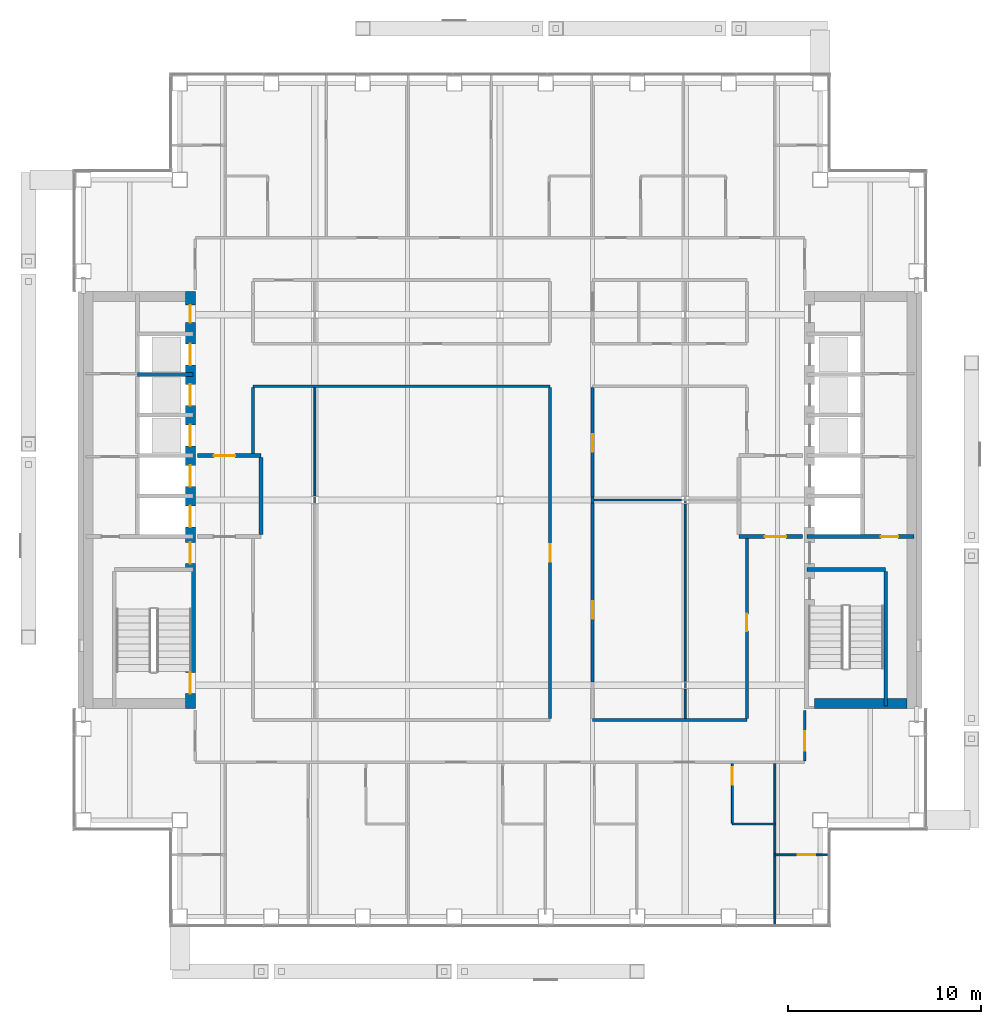
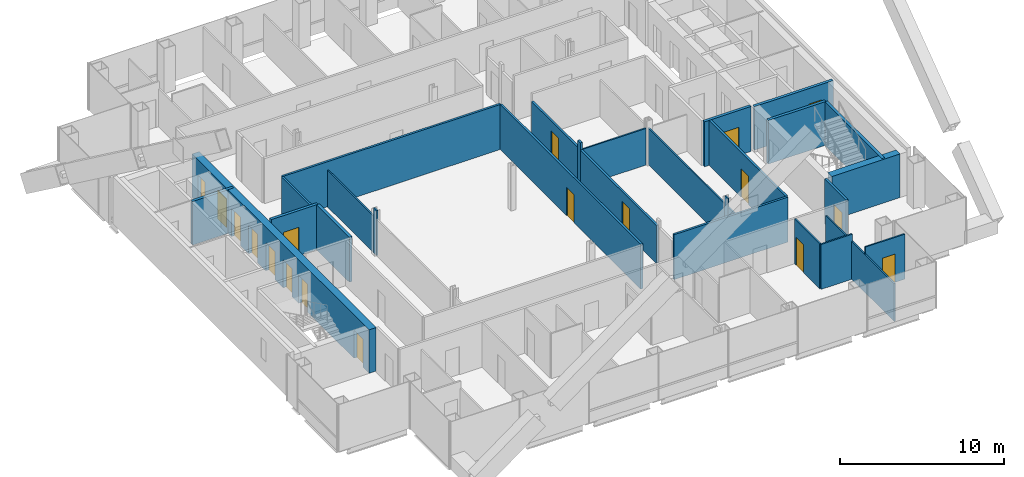
# One storey, part 13 of 18: 28 walls, 18 doors, 18 openings.
"""IFC4 building model written with IfcOpenShell, lengths in metres."""

import ifcopenshell
import ifcopenshell.guid

model = None  # the IFC model being written
_history = None  # IfcOwnerHistory: only IFC2X3 demands one
_inside = {}  # id of a spatial element -> (the spatial element, [elements in it])
_under = {}  # id of a project, library or spatial element -> (it, [spatial elements below it])
_declared = {}  # id of a project -> (the project, [libraries it declares])
_typed = {}  # id of a type object -> (the type object, [elements of that type])
_made_of = {}  # id of a material, layer set ... -> (it, [elements and type objects made of it])


def new_model(schema):
    """Start an empty IFC model of exactly this schema.

    Asked for "IFC4X3", IfcOpenShell would pick the latest addendum, in which some entities
    have other attributes; the version numbers below select the first issue.
    IFC2X3 requires an IfcOwnerHistory on every rooted entity: one is made here for all.
    """
    global model, _history
    if schema == "IFC4X3":
        model = ifcopenshell.file(schema_version=(4, 3, 0, 0))
    else:
        model = ifcopenshell.file(schema=schema)
    _inside.clear()
    _under.clear()
    _declared.clear()
    _typed.clear()
    _made_of.clear()
    _history = None
    if model.schema == "IFC2X3":
        org = make("IfcOrganization", Name="unknown")
        user = make(
            "IfcPersonAndOrganization",
            ThePerson=make("IfcPerson", FamilyName="unknown"),
            TheOrganization=org,
        )
        app = make(
            "IfcApplication",
            ApplicationDeveloper=org,
            Version="unknown",
            ApplicationFullName="unknown",
            ApplicationIdentifier="unknown",
        )
        _history = make(
            "IfcOwnerHistory",
            OwningUser=user,
            OwningApplication=app,
            ChangeAction="ADDED",
            CreationDate=0,
        )
    return model


def make(cls, **values):
    """One entity of the class cls with the attributes given. An attribute that is None is left unset."""
    return model.create_entity(
        cls, **{name: value for name, value in values.items() if value is not None}
    )


def rooted(cls, **values):
    """An entity with a GlobalId (a new one), such as an element, a storey or a relation."""
    return make(cls, GlobalId=ifcopenshell.guid.new(), OwnerHistory=_history, **values)


def si_unit(unit_type, name, prefix=None):
    """IfcSIUnit, for example si_unit("LENGTHUNIT", "METRE", prefix="MILLI")."""
    return make("IfcSIUnit", UnitType=unit_type, Prefix=prefix, Name=name)


def assignment(units):
    """IfcUnitAssignment: the units of a project."""
    return None if units is None else make("IfcUnitAssignment", Units=units)


def point(xyz):
    """IfcCartesianPoint."""
    return None if xyz is None else make("IfcCartesianPoint", Coordinates=xyz)


def direction(xyz):
    """IfcDirection."""
    return None if xyz is None else make("IfcDirection", DirectionRatios=xyz)


def frame(location, z_axis=None, x_axis=None):
    """IfcAxis2Placement3D, a coordinate frame: its origin and axes. An axis left out is left unset."""
    return make(
        "IfcAxis2Placement3D",
        Location=point(location),
        Axis=direction(z_axis),
        RefDirection=direction(x_axis),
    )


def frame_2d(location, x_axis=None):
    """IfcAxis2Placement2D, a coordinate frame in the plane: its origin and x axis."""
    return make(
        "IfcAxis2Placement2D", Location=point(location), RefDirection=direction(x_axis)
    )


def origin():
    """The frame at (0, 0, 0) with its axes left unset."""
    return frame((0.0, 0.0, 0.0))


def place(relative_to, where):
    """IfcLocalPlacement: puts the frame where relative to a parent placement (None: the world)."""
    return make(
        "IfcLocalPlacement", PlacementRelTo=relative_to, RelativePlacement=where
    )


def context(
    kind, dimensions, precision=None, world=None, true_north=None, identifier=None
):
    """IfcGeometricRepresentationContext, for example the 3D "Model" context."""
    return make(
        "IfcGeometricRepresentationContext",
        ContextIdentifier=identifier,
        ContextType=kind,
        CoordinateSpaceDimension=dimensions,
        Precision=precision,
        WorldCoordinateSystem=world,
        TrueNorth=true_north,
    )


def subcontext(parent, identifier, kind, view, scale=None):
    """IfcGeometricRepresentationSubContext, for example "Body" below "Model"."""
    return make(
        "IfcGeometricRepresentationSubContext",
        ContextIdentifier=identifier,
        ContextType=kind,
        ParentContext=parent,
        TargetScale=scale,
        TargetView=view,
    )


def project(units=None, contexts=None):
    """IfcProject with its units and contexts."""
    return rooted(
        "IfcProject",
        Name="project",
        RepresentationContexts=contexts,
        UnitsInContext=assignment(units),
    )


def spatial(cls, under=None, at=None, **own):
    """A site, building, storey or space (cls), placed at a placement, below another one or the project."""
    s = rooted(cls, ObjectPlacement=at, **own)
    if under is not None:
        _under.setdefault(under.id(), (under, []))[1].append(s)
    return s


def profile(cls, at=None, kind="AREA", **sizes):
    """A parametric profile (cls). Its sizes go by their IFC names, for example OverallWidth=200.0."""
    return make(cls, ProfileType=kind, Position=at, **sizes)


def rectangle(**sizes):
    """IfcRectangleProfileDef."""
    return profile("IfcRectangleProfileDef", **sizes)


def extrude(swept, where, along, depth):
    """IfcExtrudedAreaSolid: the profile swept, set in the frame where, extruded along a direction by depth."""
    return make(
        "IfcExtrudedAreaSolid",
        SweptArea=swept,
        Position=where,
        ExtrudedDirection=direction(along),
        Depth=depth,
    )


def shape(context_of_items, identifier, shape_type, items):
    """IfcShapeRepresentation: the items that make up one representation, for example the "Body"."""
    return make(
        "IfcShapeRepresentation",
        ContextOfItems=context_of_items,
        RepresentationIdentifier=identifier,
        RepresentationType=shape_type,
        Items=items,
    )


def material(Name=None, Category=None):
    """IfcMaterial."""
    return make("IfcMaterial", Name=Name, Category=Category)


def layer(
    of_material, thickness, ventilated=None, Name=None, Category=None, Priority=None
):
    """IfcMaterialLayer: one layer of a wall or slab, of a material (None: an air gap)."""
    return make(
        "IfcMaterialLayer",
        Material=of_material,
        LayerThickness=thickness,
        IsVentilated=ventilated,
        Name=Name,
        Category=Category,
        Priority=Priority,
    )


def layer_set(layers, Name=None):
    """IfcMaterialLayerSet."""
    return make("IfcMaterialLayerSet", MaterialLayers=layers, LayerSetName=Name)


def made_of(thing, what):
    """Note that an element or type object is made of a material, layer set ...; save() writes the relation."""
    if what is not None:
        _made_of.setdefault(what.id(), (what, []))[1].append(thing)
    return thing


def type_object(cls, material=None, **own):
    """A type object (cls), such as IfcWallType, which elements share."""
    return made_of(rooted(cls, **own), material)


def element(
    cls,
    number,
    at=None,
    inside=None,
    cuts=None,
    type_object=None,
    material=None,
    context=None,
    identifier="Body",
    shape_type=None,
    held_by="IfcProductDefinitionShape",
    body=None,
    shapes=None,
    **own,
):
    """One element of the class cls, such as IfcWall. Its Tag is "e" and its number.

    at: its placement. inside: the storey or other place that contains it. cuts: it is an
    opening in that element (IfcRelVoidsElement). A single representation is given by context,
    identifier, shape_type and body (its items); several are given by shapes. held_by: the class
    of the entity that holds the representations. save() writes the other relations.
    """
    e = rooted(cls, Tag="e%d" % number, ObjectPlacement=at, **own)
    if body is not None:
        shapes = [shape(context, identifier, shape_type, body)]
    if shapes is not None:
        e.Representation = make(held_by, Representations=shapes)
    if inside is not None:
        _inside.setdefault(inside.id(), (inside, []))[1].append(e)
    if cuts is not None:
        rooted(
            "IfcRelVoidsElement", RelatingBuildingElement=cuts, RelatedOpeningElement=e
        )
    if type_object is not None:
        _typed.setdefault(type_object.id(), (type_object, []))[1].append(e)
    return made_of(e, material)


def fill(opening, filler):
    """IfcRelFillsElement: the door or window that sits in an opening."""
    return rooted(
        "IfcRelFillsElement",
        RelatingOpeningElement=opening,
        RelatedBuildingElement=filler,
    )


def aggregate(whole, parts):
    """IfcRelAggregates: a whole, such as a stair, and the parts it consists of."""
    return rooted("IfcRelAggregates", RelatingObject=whole, RelatedObjects=parts)


def save(model, path):
    """Write the relations noted so far, then the file.

    IfcRelAggregates (storeys below a building ...), IfcRelContainedInSpatialStructure (elements
    in a storey), IfcRelDefinesByType, IfcRelAssociatesMaterial and IfcRelDeclares: one each for
    every whole, place, type object, material and project.
    """
    for whole, parts in _under.values():
        aggregate(whole, parts)
    for where, things in _inside.values():
        rooted(
            "IfcRelContainedInSpatialStructure",
            RelatedElements=things,
            RelatingStructure=where,
        )
    for kind, things in _typed.values():
        rooted("IfcRelDefinesByType", RelatedObjects=things, RelatingType=kind)
    for what, things in _made_of.values():
        rooted("IfcRelAssociatesMaterial", RelatedObjects=things, RelatingMaterial=what)
    for by, libraries in _declared.values():
        rooted("IfcRelDeclares", RelatingContext=by, RelatedDefinitions=libraries)
    model.write(path)


model = new_model("IFC4")

# Units and contexts
model_context = context("Model", 3, precision=1e-05, world=origin(), true_north=direction((0.0, 1.0)))
body_context = subcontext(model_context, "Body", "Model", "MODEL_VIEW")
ifc_project = project(units=[si_unit("LENGTHUNIT", "METRE"), si_unit("AREAUNIT", "SQUARE_METRE"), si_unit("VOLUMEUNIT", "CUBIC_METRE"), si_unit("PLANEANGLEUNIT", "RADIAN"), si_unit("MASSUNIT", "GRAM", prefix="KILO")], contexts=[model_context])

# Site, building, storey
site_placement = place(None, origin())
site = spatial("IfcSite", under=ifc_project, at=site_placement, CompositionType="ELEMENT")
building_placement = place(site_placement, origin())
building = spatial("IfcBuilding", under=site, at=building_placement, Name="Cobrizo Arcos Hotel Tower", CompositionType="ELEMENT")
storey_placement = place(building_placement, frame((0.0, 0.0, 158.5)))
storey = spatial("IfcBuildingStorey", under=building, at=storey_placement, Name="L40", CompositionType="ELEMENT", Elevation=158.5)

# Walls
ifc_material_1 = material(Name="Gypsum board partition")
ifc_layer_1 = layer(ifc_material_1, 0.14990234375)
ifc_layer_set_1 = layer_set([ifc_layer_1], Name="Corridor wall EI 60 150")
wall_type_1 = type_object("IfcWallType", Name="Corridor wall EI 60 150", PredefinedType="PARTITIONING", material=ifc_layer_set_1)
wall_1_placement = place(storey_placement, frame((4.800048828125, -11.39990234375, 0.0), z_axis=(0.0, 0.0, 1.0), x_axis=(1.0, 0.0, 0.0)))
element("IfcWall", 1, at=wall_1_placement, inside=storey, type_object=wall_type_1, Name="Partition 009", PredefinedType="PARTITIONING", context=body_context, shape_type="SweptSolid", body=[
    extrude(rectangle(XDim=8.0, YDim=0.14990234375, at=frame_2d((4.0, 0.0))), origin(), (0.0, 0.0, 1.0), 3.35009765625),
])
wall_2_placement = place(storey_placement, frame((-12.800048828125, 5.89990234375, 0.0), z_axis=(0.0, 0.0, 1.0), x_axis=(1.0, 0.0, 0.0)))
element("IfcWall", 2, at=wall_2_placement, inside=storey, type_object=wall_type_1, Name="Partition 029", PredefinedType="PARTITIONING", context=body_context, shape_type="SweptSolid", body=[
    extrude(rectangle(XDim=15.400146484375, YDim=0.14990234375, at=frame_2d((7.7001953125, 0.0))), origin(), (0.0, 0.0, 1.0), 3.35009765625),
])
wall_3_placement = place(storey_placement, frame((-12.800048828125, 2.39990234375, 0.0), z_axis=(0.0, 0.0, 1.0), x_axis=(0.0, 1.0, 0.0)))
element("IfcWall", 3, at=wall_3_placement, inside=storey, type_object=wall_type_1, Name="Partition 057", PredefinedType="PARTITIONING", context=body_context, shape_type="SweptSolid", body=[
    extrude(rectangle(XDim=3.425048828125, YDim=0.14990234375, at=frame_2d((1.71240234375, 0.0))), origin(), (0.0, 0.0, 1.0), 3.35009765625),
])

# Wall, opening, door
wall_4_placement = place(storey_placement, frame((2.60009765625, -11.324951171875, 0.0), z_axis=(0.0, 0.0, 1.0), x_axis=(0.0, 1.0, 0.0)))
wall_4 = element("IfcWall", 4, at=wall_4_placement, inside=storey, type_object=wall_type_1, Name="Partition 079", PredefinedType="PARTITIONING", context=body_context, shape_type="SweptSolid", body=[
    extrude(rectangle(XDim=17.14990234375, YDim=0.14990234375, at=frame_2d((8.574951171875, 0.0))), origin(), (0.0, 0.0, 1.0), 3.35009765625),
])
opening_1_placement = place(wall_4_placement, frame((8.125, 0.0, 0.0)))
opening_1 = element("IfcOpeningElement", 5, at=opening_1_placement, cuts=wall_4, Name="Opening RD-19", PredefinedType="OPENING", context=body_context, shape_type="SweptSolid", body=[
    extrude(rectangle(XDim=0.89990234375, YDim=2.10009765625, at=frame_2d((0.449951171875, 1.050048828125))), frame((0.0, 0.0869140625, 0.0), z_axis=(0.0, -1.0, 0.0), x_axis=(1.0, 0.0, 0.0)), (0.0, 0.0, 1.0), 0.173828125),
])
ifc_material_2 = material(Name="Timber door leaf", Category="wood")
door_type_1 = type_object("IfcDoorType", Name="Room door FD30 900x2100", OperationType="SINGLE_SWING_LEFT", PredefinedType="DOOR", material=ifc_material_2)
door_1_placement = place(opening_1_placement, origin())
door_1 = element("IfcDoor", 6, at=door_1_placement, inside=storey, type_object=door_type_1, Name="Door RD-19", OperationType="SINGLE_SWING_LEFT", OverallHeight=2.10009765625, OverallWidth=0.89990234375, PredefinedType="DOOR", context=body_context, shape_type="SweptSolid", body=[
    extrude(rectangle(XDim=0.89990234375, YDim=2.10009765625, at=frame_2d((0.449951171875, 1.050048828125))), frame((0.0, 0.02490234375, 0.0), z_axis=(0.0, -1.0, 0.0), x_axis=(1.0, 0.0, 0.0)), (0.0, 0.0, 1.0), 0.050048828125),
])
fill(opening_1, door_1)

wall_5_placement = place(storey_placement, frame((4.800048828125, -9.43603515625, 0.0), z_axis=(0.0, 0.0, 1.0), x_axis=(0.0, 1.0, 0.0)))
wall_5 = element("IfcWall", 7, at=wall_5_placement, inside=storey, type_object=wall_type_1, Name="Partition 084", PredefinedType="PARTITIONING", context=body_context, shape_type="SweptSolid", body=[
    extrude(rectangle(XDim=9.27197265625, YDim=0.14990234375, at=frame_2d((4.635986328125, 0.0))), origin(), (0.0, 0.0, 1.0), 2.81689453125),
])
opening_2_placement = place(wall_5_placement, frame((3.285888671875, 0.0, 0.0)))
opening_2 = element("IfcOpeningElement", 8, at=opening_2_placement, cuts=wall_5, Name="Opening RD-18", PredefinedType="OPENING", context=body_context, shape_type="SweptSolid", body=[
    extrude(rectangle(XDim=0.89990234375, YDim=2.10009765625, at=frame_2d((0.449951171875, 1.050048828125))), frame((0.0, 0.0869140625, 0.0), z_axis=(0.0, -1.0, 0.0), x_axis=(1.0, 0.0, 0.0)), (0.0, 0.0, 1.0), 0.173828125),
])
door_2_placement = place(opening_2_placement, origin())
door_2 = element("IfcDoor", 9, at=door_2_placement, inside=storey, type_object=door_type_1, Name="Door RD-18", OperationType="SINGLE_SWING_LEFT", OverallHeight=2.10009765625, OverallWidth=0.89990234375, PredefinedType="DOOR", context=body_context, shape_type="SweptSolid", body=[
    extrude(rectangle(XDim=0.89990234375, YDim=2.10009765625, at=frame_2d((0.449951171875, 1.050048828125))), frame((0.0, 0.02490234375, 0.0), z_axis=(0.0, -1.0, 0.0), x_axis=(1.0, 0.0, 0.0)), (0.0, 0.0, 1.0), 0.050048828125),
])
fill(opening_2, door_2)

# Wall
wall_6_placement = place(storey_placement, frame((4.800048828125, -0.1640625, 0.0), z_axis=(0.0, 0.0, 1.0), x_axis=(0.0, 1.0, 0.0)))
element("IfcWall", 10, at=wall_6_placement, inside=storey, type_object=wall_type_1, Name="Partition 085", PredefinedType="PARTITIONING", context=body_context, shape_type="SweptSolid", body=[
    extrude(rectangle(XDim=0.328125, YDim=0.14990234375, at=frame_2d((0.1640625, 0.0))), origin(), (0.0, 0.0, 1.0), 3.35009765625),
])

# Wall, opening, door
wall_7_placement = place(storey_placement, frame((4.800048828125, 0.1640625, 0.0), z_axis=(0.0, 0.0, 1.0), x_axis=(0.0, 1.0, 0.0)))
wall_7 = element("IfcWall", 11, at=wall_7_placement, inside=storey, type_object=wall_type_1, Name="Partition 086", PredefinedType="PARTITIONING", context=body_context, shape_type="SweptSolid", body=[
    extrude(rectangle(XDim=5.660888671875, YDim=0.14990234375, at=frame_2d((2.83056640625, 0.0))), origin(), (0.0, 0.0, 1.0), 2.81689453125),
])
opening_3_placement = place(wall_7_placement, frame((2.3359375, 0.0, 0.0)))
opening_3 = element("IfcOpeningElement", 12, at=opening_3_placement, cuts=wall_7, Name="Opening RD-14", PredefinedType="OPENING", context=body_context, shape_type="SweptSolid", body=[
    extrude(rectangle(XDim=0.89990234375, YDim=2.10009765625, at=frame_2d((0.449951171875, 1.050048828125))), frame((0.0, 0.0869140625, 0.0), z_axis=(0.0, -1.0, 0.0), x_axis=(1.0, 0.0, 0.0)), (0.0, 0.0, 1.0), 0.173828125),
])
door_3_placement = place(opening_3_placement, origin())
door_3 = element("IfcDoor", 13, at=door_3_placement, inside=storey, type_object=door_type_1, Name="Door RD-14", OperationType="SINGLE_SWING_RIGHT", OverallHeight=2.10009765625, OverallWidth=0.89990234375, PredefinedType="DOOR", context=body_context, shape_type="SweptSolid", body=[
    extrude(rectangle(XDim=0.89990234375, YDim=2.10009765625, at=frame_2d((0.449951171875, 1.050048828125))), frame((0.0, 0.02490234375, 0.0), z_axis=(0.0, -1.0, 0.0), x_axis=(1.0, 0.0, 0.0)), (0.0, 0.0, 1.0), 0.050048828125),
])
fill(opening_3, door_3)

wall_8_placement = place(storey_placement, frame((12.800048828125, -11.324951171875, 0.0), z_axis=(0.0, 0.0, 1.0), x_axis=(0.0, 1.0, 0.0)))
wall_8 = element("IfcWall", 14, at=wall_8_placement, inside=storey, type_object=wall_type_1, Name="Partition 106", PredefinedType="PARTITIONING", context=body_context, shape_type="SweptSolid", body=[
    extrude(rectangle(XDim=9.324951171875, YDim=0.14990234375, at=frame_2d((4.66259765625, 0.0))), origin(), (0.0, 0.0, 1.0), 3.35009765625),
])
opening_4_placement = place(wall_8_placement, frame((4.52490234375, 0.0, 0.0)))
opening_4 = element("IfcOpeningElement", 15, at=opening_4_placement, cuts=wall_8, Name="Opening RD-15", PredefinedType="OPENING", context=body_context, shape_type="SweptSolid", body=[
    extrude(rectangle(XDim=0.89990234375, YDim=2.10009765625, at=frame_2d((0.449951171875, 1.050048828125))), frame((0.0, 0.0869140625, 0.0), z_axis=(0.0, -1.0, 0.0), x_axis=(1.0, 0.0, 0.0)), (0.0, 0.0, 1.0), 0.173828125),
])
door_4_placement = place(opening_4_placement, origin())
door_4 = element("IfcDoor", 16, at=door_4_placement, inside=storey, type_object=door_type_1, Name="Door RD-15", OperationType="SINGLE_SWING_LEFT", OverallHeight=2.10009765625, OverallWidth=0.89990234375, PredefinedType="DOOR", context=body_context, shape_type="SweptSolid", body=[
    extrude(rectangle(XDim=0.89990234375, YDim=2.10009765625, at=frame_2d((0.449951171875, 1.050048828125))), frame((0.0, 0.02490234375, 0.0), z_axis=(0.0, -1.0, 0.0), x_axis=(1.0, 0.0, 0.0)), (0.0, 0.0, 1.0), 0.050048828125),
])
fill(opening_4, door_4)

wall_9_placement = place(storey_placement, frame((15.800048828125, -13.52490234375, 0.0), z_axis=(0.0, 0.0, 1.0), x_axis=(0.0, 1.0, 0.0)))
wall_9 = element("IfcWall", 17, at=wall_9_placement, inside=storey, type_object=wall_type_1, Name="Partition 112", PredefinedType="PARTITIONING", context=body_context, shape_type="SweptSolid", body=[
    extrude(rectangle(XDim=2.60498046875, YDim=0.14990234375, at=frame_2d((1.302490234375, 0.0))), origin(), (0.0, 0.0, 1.0), 3.35009765625),
])
opening_5_placement = place(wall_9_placement, frame((0.52490234375, 0.0, 0.0)))
opening_5 = element("IfcOpeningElement", 18, at=opening_5_placement, cuts=wall_9, Name="Opening GD-11", PredefinedType="OPENING", context=body_context, shape_type="SweptSolid", body=[
    extrude(rectangle(XDim=1.0, YDim=2.10009765625, at=frame_2d((0.5, 1.050048828125))), frame((0.0, 0.0869140625, 0.0), z_axis=(0.0, -1.0, 0.0), x_axis=(1.0, 0.0, 0.0)), (0.0, 0.0, 1.0), 0.173828125),
])
door_type_2 = type_object("IfcDoorType", Name="Guest room door FD30S 1000x2100", OperationType="SINGLE_SWING_LEFT", PredefinedType="DOOR", material=ifc_material_2)
door_5_placement = place(opening_5_placement, origin())
door_5 = element("IfcDoor", 19, at=door_5_placement, inside=storey, type_object=door_type_2, Name="Door GD-11", OperationType="SINGLE_SWING_LEFT", OverallHeight=2.10009765625, OverallWidth=1.0, PredefinedType="DOOR", context=body_context, shape_type="SweptSolid", body=[
    extrude(rectangle(XDim=1.0, YDim=2.10009765625, at=frame_2d((0.5, 1.050048828125))), frame((0.0, 0.02490234375, 0.0), z_axis=(0.0, -1.0, 0.0), x_axis=(1.0, 0.0, 0.0)), (0.0, 0.0, 1.0), 0.050048828125),
])
fill(opening_5, door_5)

ifc_layer_2 = layer(ifc_material_1, 0.10009765625)
ifc_layer_set_2 = layer_set([ifc_layer_2], Name="Partition EI 30 100")
wall_type_2 = type_object("IfcWallType", Name="Partition EI 30 100", PredefinedType="PARTITIONING", material=ifc_layer_set_2)
wall_10_placement = place(storey_placement, frame((14.25, -18.39990234375, 0.0), z_axis=(0.0, 0.0, 1.0), x_axis=(1.0, 0.0, 0.0)))
wall_10 = element("IfcWall", 20, at=wall_10_placement, inside=storey, type_object=wall_type_2, Name="Partition 002", PredefinedType="PARTITIONING", context=body_context, shape_type="SweptSolid", body=[
    extrude(rectangle(XDim=2.780029296875, YDim=0.10009765625, at=frame_2d((1.39013671875, 0.0))), origin(), (0.0, 0.0, 1.0), 3.35009765625),
])
opening_6_placement = place(wall_10_placement, frame((1.18896484375, 0.0, 0.0)))
opening_6 = element("IfcOpeningElement", 21, at=opening_6_placement, cuts=wall_10, Name="Opening ED-12", PredefinedType="OPENING", context=body_context, shape_type="SweptSolid", body=[
    extrude(rectangle(XDim=0.89990234375, YDim=2.10009765625, at=frame_2d((0.449951171875, 1.050048828125))), frame((0.0, 0.06201171875, 0.0), z_axis=(0.0, -1.0, 0.0), x_axis=(1.0, 0.0, 0.0)), (0.0, 0.0, 1.0), 0.1240234375),
])
door_type_3 = type_object("IfcDoorType", Name="En-suite door 900x2100", OperationType="SINGLE_SWING_LEFT", PredefinedType="DOOR", material=ifc_material_2)
door_6_placement = place(opening_6_placement, origin())
door_6 = element("IfcDoor", 22, at=door_6_placement, inside=storey, type_object=door_type_3, Name="Door ED-12", OperationType="SINGLE_SWING_LEFT", OverallHeight=2.10009765625, OverallWidth=0.89990234375, PredefinedType="DOOR", context=body_context, shape_type="SweptSolid", body=[
    extrude(rectangle(XDim=0.89990234375, YDim=2.10009765625, at=frame_2d((0.449951171875, 1.050048828125))), frame((0.0, 0.02490234375, 0.0), z_axis=(0.0, -1.0, 0.0), x_axis=(1.0, 0.0, 0.0)), (0.0, 0.0, 1.0), 0.050048828125),
])
fill(opening_6, door_6)

# Walls
wall_11_placement = place(storey_placement, frame((12.050048828125, -16.800048828125, 0.0), z_axis=(0.0, 0.0, 1.0), x_axis=(1.0, 0.0, 0.0)))
element("IfcWall", 23, at=wall_11_placement, inside=storey, type_object=wall_type_2, Name="Partition 006", PredefinedType="PARTITIONING", context=body_context, shape_type="SweptSolid", body=[
    extrude(rectangle(XDim=2.199951171875, YDim=0.10009765625, at=frame_2d((1.10009765625, 0.0))), origin(), (0.0, 0.0, 1.0), 3.35009765625),
])
wall_12_placement = place(storey_placement, frame((4.800048828125, 0.0, 0.0), z_axis=(0.0, 0.0, 1.0), x_axis=(1.0, 0.0, 0.0)))
element("IfcWall", 24, at=wall_12_placement, inside=storey, type_object=wall_type_2, Name="Partition 016", PredefinedType="PARTITIONING", context=body_context, shape_type="SweptSolid", body=[
    extrude(rectangle(XDim=4.613037109375, YDim=0.10009765625, at=frame_2d((2.306640625, 0.0))), origin(), (0.0, 0.0, 1.0), 2.72802734375),
])
wall_13_placement = place(storey_placement, frame((-9.60009765625, -0.18701171875, 0.0), z_axis=(0.0, 0.0, 1.0), x_axis=(0.0, 1.0, 0.0)))
element("IfcWall", 25, at=wall_13_placement, inside=storey, type_object=wall_type_2, Name="Partition 066", PredefinedType="PARTITIONING", context=body_context, shape_type="SweptSolid", body=[
    extrude(rectangle(XDim=0.3740234375, YDim=0.10009765625, at=frame_2d((0.18701171875, 0.0))), origin(), (0.0, 0.0, 1.0), 3.35009765625),
])
wall_14_placement = place(storey_placement, frame((-9.60009765625, 0.18701171875, 0.0), z_axis=(0.0, 0.0, 1.0), x_axis=(0.0, 1.0, 0.0)))
element("IfcWall", 26, at=wall_14_placement, inside=storey, type_object=wall_type_2, Name="Partition 067", PredefinedType="PARTITIONING", context=body_context, shape_type="SweptSolid", body=[
    extrude(rectangle(XDim=5.637939453125, YDim=0.10009765625, at=frame_2d((2.81884765625, 0.0))), origin(), (0.0, 0.0, 1.0), 2.72802734375),
])
wall_15_placement = place(storey_placement, frame((9.60009765625, -11.324951171875, 0.0), z_axis=(0.0, 0.0, 1.0), x_axis=(0.0, 1.0, 0.0)))
element("IfcWall", 27, at=wall_15_placement, inside=storey, type_object=wall_type_2, Name="Partition 096", PredefinedType="PARTITIONING", context=body_context, shape_type="SweptSolid", body=[
    extrude(rectangle(XDim=1.537841796875, YDim=0.10009765625, at=frame_2d((0.76904296875, 0.0))), origin(), (0.0, 0.0, 1.0), 2.72802734375),
])
wall_16_placement = place(storey_placement, frame((9.60009765625, -9.787109375, 0.0), z_axis=(0.0, 0.0, 1.0), x_axis=(0.0, 1.0, 0.0)))
element("IfcWall", 28, at=wall_16_placement, inside=storey, type_object=wall_type_2, Name="Partition 097", PredefinedType="PARTITIONING", context=body_context, shape_type="SweptSolid", body=[
    extrude(rectangle(XDim=0.3740234375, YDim=0.10009765625, at=frame_2d((0.18701171875, 0.0))), origin(), (0.0, 0.0, 1.0), 3.35009765625),
])
wall_17_placement = place(storey_placement, frame((9.60009765625, -9.4130859375, 0.0), z_axis=(0.0, 0.0, 1.0), x_axis=(0.0, 1.0, 0.0)))
element("IfcWall", 29, at=wall_17_placement, inside=storey, type_object=wall_type_2, Name="Partition 098", PredefinedType="PARTITIONING", context=body_context, shape_type="SweptSolid", body=[
    extrude(rectangle(XDim=9.363037109375, YDim=0.10009765625, at=frame_2d((4.681640625, 0.0))), origin(), (0.0, 0.0, 1.0), 2.72802734375),
])

# Wall, opening, door
wall_18_placement = place(storey_placement, frame((12.050048828125, -16.75, 0.0), z_axis=(0.0, 0.0, 1.0), x_axis=(0.0, 1.0, 0.0)))
wall_18 = element("IfcWall", 30, at=wall_18_placement, inside=storey, type_object=wall_type_2, Name="Partition 104", PredefinedType="PARTITIONING", context=body_context, shape_type="SweptSolid", body=[
    extrude(rectangle(XDim=3.074951171875, YDim=0.10009765625, at=frame_2d((1.53759765625, 0.0))), origin(), (0.0, 0.0, 1.0), 3.35009765625),
])
opening_7_placement = place(wall_18_placement, frame((1.99609375, 0.0, 0.0)))
opening_7 = element("IfcOpeningElement", 31, at=opening_7_placement, cuts=wall_18, Name="Opening ED-09", PredefinedType="OPENING", context=body_context, shape_type="SweptSolid", body=[
    extrude(rectangle(XDim=0.89990234375, YDim=2.10009765625, at=frame_2d((0.449951171875, 1.050048828125))), frame((0.0, 0.06201171875, 0.0), z_axis=(0.0, -1.0, 0.0), x_axis=(1.0, 0.0, 0.0)), (0.0, 0.0, 1.0), 0.1240234375),
])
door_7_placement = place(opening_7_placement, origin())
door_7 = element("IfcDoor", 32, at=door_7_placement, inside=storey, type_object=door_type_3, Name="Door ED-09", OperationType="SINGLE_SWING_LEFT", OverallHeight=2.10009765625, OverallWidth=0.89990234375, PredefinedType="DOOR", context=body_context, shape_type="SweptSolid", body=[
    extrude(rectangle(XDim=0.89990234375, YDim=2.10009765625, at=frame_2d((0.449951171875, 1.050048828125))), frame((0.0, 0.02490234375, 0.0), z_axis=(0.0, -1.0, 0.0), x_axis=(1.0, 0.0, 0.0)), (0.0, 0.0, 1.0), 0.050048828125),
])
fill(opening_7, door_7)

# Walls
wall_19_placement = place(storey_placement, frame((14.25, -22.030029296875, 0.0), z_axis=(0.0, 0.0, 1.0), x_axis=(0.0, 1.0, 0.0)))
element("IfcWall", 33, at=wall_19_placement, inside=storey, type_object=wall_type_2, Name="Partition 110", PredefinedType="PARTITIONING", context=body_context, shape_type="SweptSolid", body=[
    extrude(rectangle(XDim=8.35498046875, YDim=0.10009765625, at=frame_2d((4.177490234375, 0.0))), origin(), (0.0, 0.0, 1.0), 2.81689453125),
])
ifc_material_3 = material(Name="Concrete f'c 50 MPa", Category="concrete")
ifc_layer_3 = layer(ifc_material_3, 0.5)
ifc_layer_set_3 = layer_set([ifc_layer_3], Name="RC core wall 500 f'c 50")
wall_type_3 = type_object("IfcWallType", Name="RC core wall 500 f'c 50", PredefinedType="SHEAR", material=ifc_layer_set_3)
wall_20_placement = place(storey_placement, frame((16.300048828125, -10.550048828125, 0.0), z_axis=(0.0, 0.0, 1.0), x_axis=(1.0, 0.0, 0.0)))
element("IfcWall", 34, at=wall_20_placement, inside=storey, type_object=wall_type_3, Name="Core wall CW3, east core, south end, L40", PredefinedType="SHEAR", context=body_context, shape_type="SweptSolid", body=[
    extrude(rectangle(XDim=4.800048828125, YDim=0.5, at=frame_2d((2.39990234375, 0.0))), origin(), (0.0, 0.0, 1.0), 3.25),
])

# Wall, openings, doors
wall_21_placement = place(storey_placement, frame((-16.050048828125, -10.800048828125, 0.0), z_axis=(0.0, 0.0, 1.0), x_axis=(0.0, 1.0, 0.0)))
wall_21 = element("IfcWall", 35, at=wall_21_placement, inside=storey, type_object=wall_type_3, Name="Core wall CW3, west core, inner face, L40", PredefinedType="SHEAR", context=body_context, shape_type="SweptSolid", body=[
    extrude(rectangle(XDim=21.60009765625, YDim=0.5, at=frame_2d((10.800048828125, 0.0))), origin(), (0.0, 0.0, 1.0), 3.25),
])
opening_8_placement = place(wall_21_placement, frame((9.39990234375, 0.0, 0.0)))
opening_8 = element("IfcOpeningElement", 36, at=opening_8_placement, cuts=wall_21, Name="Opening LD-01", PredefinedType="OPENING", context=body_context, shape_type="SweptSolid", body=[
    extrude(rectangle(XDim=1.10009765625, YDim=2.10009765625, at=frame_2d((0.550048828125, 1.050048828125))), frame((0.0, 0.261962890625, 0.0), z_axis=(0.0, -1.0, 0.0), x_axis=(1.0, 0.0, 0.0)), (0.0, 0.0, 1.0), 0.52392578125),
])
opening_9_placement = place(wall_21_placement, frame((11.5, 0.0, 0.0)))
opening_9 = element("IfcOpeningElement", 37, at=opening_9_placement, cuts=wall_21, Name="Opening LD-02", PredefinedType="OPENING", context=body_context, shape_type="SweptSolid", body=[
    extrude(rectangle(XDim=1.10009765625, YDim=2.10009765625, at=frame_2d((0.550048828125, 1.050048828125))), frame((0.0, 0.261962890625, 0.0), z_axis=(0.0, -1.0, 0.0), x_axis=(1.0, 0.0, 0.0)), (0.0, 0.0, 1.0), 0.52392578125),
])
opening_10_placement = place(wall_21_placement, frame((13.60009765625, 0.0, 0.0)))
opening_10 = element("IfcOpeningElement", 38, at=opening_10_placement, cuts=wall_21, Name="Opening LD-03", PredefinedType="OPENING", context=body_context, shape_type="SweptSolid", body=[
    extrude(rectangle(XDim=1.10009765625, YDim=2.10009765625, at=frame_2d((0.550048828125, 1.050048828125))), frame((0.0, 0.261962890625, 0.0), z_axis=(0.0, -1.0, 0.0), x_axis=(1.0, 0.0, 0.0)), (0.0, 0.0, 1.0), 0.52392578125),
])
opening_11_placement = place(wall_21_placement, frame((15.699951171875, 0.0, 0.0)))
opening_11 = element("IfcOpeningElement", 39, at=opening_11_placement, cuts=wall_21, Name="Opening LD-04", PredefinedType="OPENING", context=body_context, shape_type="SweptSolid", body=[
    extrude(rectangle(XDim=1.10009765625, YDim=2.10009765625, at=frame_2d((0.550048828125, 1.050048828125))), frame((0.0, 0.261962890625, 0.0), z_axis=(0.0, -1.0, 0.0), x_axis=(1.0, 0.0, 0.0)), (0.0, 0.0, 1.0), 0.52392578125),
])
opening_12_placement = place(wall_21_placement, frame((17.800048828125, 0.0, 0.0)))
opening_12 = element("IfcOpeningElement", 40, at=opening_12_placement, cuts=wall_21, Name="Opening LD-05", PredefinedType="OPENING", context=body_context, shape_type="SweptSolid", body=[
    extrude(rectangle(XDim=1.10009765625, YDim=2.10009765625, at=frame_2d((0.550048828125, 1.050048828125))), frame((0.0, 0.261962890625, 0.0), z_axis=(0.0, -1.0, 0.0), x_axis=(1.0, 0.0, 0.0)), (0.0, 0.0, 1.0), 0.52392578125),
])
opening_13_placement = place(wall_21_placement, frame((0.758056640625, 0.0, 0.0)))
opening_13 = element("IfcOpeningElement", 41, at=opening_13_placement, cuts=wall_21, Name="Opening SD-01", PredefinedType="OPENING", context=body_context, shape_type="SweptSolid", body=[
    extrude(rectangle(XDim=1.10009765625, YDim=2.10009765625, at=frame_2d((0.550048828125, 1.050048828125))), frame((0.0, 0.261962890625, 0.0), z_axis=(0.0, -1.0, 0.0), x_axis=(1.0, 0.0, 0.0)), (0.0, 0.0, 1.0), 0.52392578125),
])
opening_14_placement = place(wall_21_placement, frame((7.5, 0.0, 0.0)))
opening_14 = element("IfcOpeningElement", 42, at=opening_14_placement, cuts=wall_21, Name="Opening FD-01", PredefinedType="OPENING", context=body_context, shape_type="SweptSolid", body=[
    extrude(rectangle(XDim=1.10009765625, YDim=2.10009765625, at=frame_2d((0.550048828125, 1.050048828125))), frame((0.0, 0.261962890625, 0.0), z_axis=(0.0, -1.0, 0.0), x_axis=(1.0, 0.0, 0.0)), (0.0, 0.0, 1.0), 0.52392578125),
])
opening_15_placement = place(wall_21_placement, frame((20.0, 0.0, 0.0)))
opening_15 = element("IfcOpeningElement", 43, at=opening_15_placement, cuts=wall_21, Name="Opening ED-01", PredefinedType="OPENING", context=body_context, shape_type="SweptSolid", body=[
    extrude(rectangle(XDim=0.89990234375, YDim=2.10009765625, at=frame_2d((0.449951171875, 1.050048828125))), frame((0.0, 0.261962890625, 0.0), z_axis=(0.0, -1.0, 0.0), x_axis=(1.0, 0.0, 0.0)), (0.0, 0.0, 1.0), 0.52392578125),
])
door_8_placement = place(opening_15_placement, origin())
door_8 = element("IfcDoor", 44, at=door_8_placement, inside=storey, type_object=door_type_3, Name="Door ED-01", OperationType="SINGLE_SWING_LEFT", OverallHeight=2.10009765625, OverallWidth=0.89990234375, PredefinedType="DOOR", context=body_context, shape_type="SweptSolid", body=[
    extrude(rectangle(XDim=0.89990234375, YDim=2.10009765625, at=frame_2d((0.449951171875, 1.050048828125))), frame((0.0, 0.02490234375, 0.0), z_axis=(0.0, -1.0, 0.0), x_axis=(1.0, 0.0, 0.0)), (0.0, 0.0, 1.0), 0.050048828125),
])
fill(opening_15, door_8)
ifc_material_4 = material(Name="Steel door leaf", Category="steel")
door_type_4 = type_object("IfcDoorType", Name="Fire door FD60 1100x2100", OperationType="SINGLE_SWING_LEFT", PredefinedType="DOOR", material=ifc_material_4)
door_9_placement = place(opening_14_placement, origin())
door_9 = element("IfcDoor", 45, at=door_9_placement, inside=storey, type_object=door_type_4, Name="Door FD-01", OperationType="SINGLE_SWING_RIGHT", OverallHeight=2.10009765625, OverallWidth=1.10009765625, PredefinedType="DOOR", context=body_context, shape_type="SweptSolid", body=[
    extrude(rectangle(XDim=1.10009765625, YDim=2.10009765625, at=frame_2d((0.550048828125, 1.050048828125))), frame((0.0, 0.02490234375, 0.0), z_axis=(0.0, -1.0, 0.0), x_axis=(1.0, 0.0, 0.0)), (0.0, 0.0, 1.0), 0.050048828125),
])
fill(opening_14, door_9)
door_type_5 = type_object("IfcDoorType", Name="Lift landing door 1100x2100", OperationType="SLIDING_TO_LEFT", PredefinedType="DOOR", material=ifc_material_4)
door_10_placement = place(opening_8_placement, origin())
door_10 = element("IfcDoor", 46, at=door_10_placement, inside=storey, type_object=door_type_5, Name="Lift landing door LD-01", OperationType="SLIDING_TO_LEFT", OverallHeight=2.10009765625, OverallWidth=1.10009765625, PredefinedType="DOOR", context=body_context, shape_type="SweptSolid", body=[
    extrude(rectangle(XDim=1.10009765625, YDim=2.10009765625, at=frame_2d((0.550048828125, 1.050048828125))), frame((0.0, 0.02490234375, 0.0), z_axis=(0.0, -1.0, 0.0), x_axis=(1.0, 0.0, 0.0)), (0.0, 0.0, 1.0), 0.050048828125),
])
fill(opening_8, door_10)
door_11_placement = place(opening_9_placement, origin())
door_11 = element("IfcDoor", 47, at=door_11_placement, inside=storey, type_object=door_type_5, Name="Lift landing door LD-02", OperationType="SLIDING_TO_LEFT", OverallHeight=2.10009765625, OverallWidth=1.10009765625, PredefinedType="DOOR", context=body_context, shape_type="SweptSolid", body=[
    extrude(rectangle(XDim=1.10009765625, YDim=2.10009765625, at=frame_2d((0.550048828125, 1.050048828125))), frame((0.0, 0.02490234375, 0.0), z_axis=(0.0, -1.0, 0.0), x_axis=(1.0, 0.0, 0.0)), (0.0, 0.0, 1.0), 0.050048828125),
])
fill(opening_9, door_11)
door_12_placement = place(opening_10_placement, origin())
door_12 = element("IfcDoor", 48, at=door_12_placement, inside=storey, type_object=door_type_5, Name="Lift landing door LD-03", OperationType="SLIDING_TO_LEFT", OverallHeight=2.10009765625, OverallWidth=1.10009765625, PredefinedType="DOOR", context=body_context, shape_type="SweptSolid", body=[
    extrude(rectangle(XDim=1.10009765625, YDim=2.10009765625, at=frame_2d((0.550048828125, 1.050048828125))), frame((0.0, 0.02490234375, 0.0), z_axis=(0.0, -1.0, 0.0), x_axis=(1.0, 0.0, 0.0)), (0.0, 0.0, 1.0), 0.050048828125),
])
fill(opening_10, door_12)
door_13_placement = place(opening_11_placement, origin())
door_13 = element("IfcDoor", 49, at=door_13_placement, inside=storey, type_object=door_type_5, Name="Lift landing door LD-04", OperationType="SLIDING_TO_LEFT", OverallHeight=2.10009765625, OverallWidth=1.10009765625, PredefinedType="DOOR", context=body_context, shape_type="SweptSolid", body=[
    extrude(rectangle(XDim=1.10009765625, YDim=2.10009765625, at=frame_2d((0.550048828125, 1.050048828125))), frame((0.0, 0.02490234375, 0.0), z_axis=(0.0, -1.0, 0.0), x_axis=(1.0, 0.0, 0.0)), (0.0, 0.0, 1.0), 0.050048828125),
])
fill(opening_11, door_13)
door_14_placement = place(opening_12_placement, origin())
door_14 = element("IfcDoor", 50, at=door_14_placement, inside=storey, type_object=door_type_5, Name="Lift landing door LD-05", OperationType="SLIDING_TO_LEFT", OverallHeight=2.10009765625, OverallWidth=1.10009765625, PredefinedType="DOOR", context=body_context, shape_type="SweptSolid", body=[
    extrude(rectangle(XDim=1.10009765625, YDim=2.10009765625, at=frame_2d((0.550048828125, 1.050048828125))), frame((0.0, 0.02490234375, 0.0), z_axis=(0.0, -1.0, 0.0), x_axis=(1.0, 0.0, 0.0)), (0.0, 0.0, 1.0), 0.050048828125),
])
fill(opening_12, door_14)
door_type_6 = type_object("IfcDoorType", Name="Stair door FD60S 1100x2100", OperationType="SINGLE_SWING_LEFT", PredefinedType="DOOR", material=ifc_material_4)
door_15_placement = place(opening_13_placement, origin())
door_15 = element("IfcDoor", 51, at=door_15_placement, inside=storey, type_object=door_type_6, Name="Door SD-01", OperationType="SINGLE_SWING_RIGHT", OverallHeight=2.10009765625, OverallWidth=1.10009765625, PredefinedType="DOOR", context=body_context, shape_type="SweptSolid", body=[
    extrude(rectangle(XDim=1.10009765625, YDim=2.10009765625, at=frame_2d((0.550048828125, 1.050048828125))), frame((0.0, 0.02490234375, 0.0), z_axis=(0.0, -1.0, 0.0), x_axis=(1.0, 0.0, 0.0)), (0.0, 0.0, 1.0), 0.050048828125),
])
fill(opening_13, door_15)

# Wall, opening, door
ifc_layer_4 = layer(ifc_material_1, 0.199951171875)
ifc_layer_set_4 = layer_set([ifc_layer_4], Name="Shaft wall EI 120 200")
wall_type_4 = type_object("IfcWallType", Name="Shaft wall EI 120 200", PredefinedType="PARTITIONING", material=ifc_layer_set_4)
wall_22_placement = place(storey_placement, frame((12.39990234375, -1.89990234375, 0.0), z_axis=(0.0, 0.0, 1.0), x_axis=(1.0, 0.0, 0.0)))
wall_22 = element("IfcWall", 52, at=wall_22_placement, inside=storey, type_object=wall_type_4, Name="Partition 014", PredefinedType="PARTITIONING", context=body_context, shape_type="SweptSolid", body=[
    extrude(rectangle(XDim=3.280029296875, YDim=0.199951171875, at=frame_2d((1.64013671875, 0.0))), origin(), (0.0, 0.0, 1.0), 3.35009765625),
])
opening_16_placement = place(wall_22_placement, frame((1.340087890625, 0.0, 0.0)))
opening_16 = element("IfcOpeningElement", 53, at=opening_16_placement, cuts=wall_22, Name="Opening FD-06", PredefinedType="OPENING", context=body_context, shape_type="SweptSolid", body=[
    extrude(rectangle(XDim=1.10009765625, YDim=2.10009765625, at=frame_2d((0.550048828125, 1.050048828125))), frame((0.0, 0.112060546875, 0.0), z_axis=(0.0, -1.0, 0.0), x_axis=(1.0, 0.0, 0.0)), (0.0, 0.0, 1.0), 0.223876953125),
])
door_16_placement = place(opening_16_placement, origin())
door_16 = element("IfcDoor", 54, at=door_16_placement, inside=storey, type_object=door_type_4, Name="Door FD-06", OperationType="SINGLE_SWING_RIGHT", OverallHeight=2.10009765625, OverallWidth=1.10009765625, PredefinedType="DOOR", context=body_context, shape_type="SweptSolid", body=[
    extrude(rectangle(XDim=1.10009765625, YDim=2.10009765625, at=frame_2d((0.550048828125, 1.050048828125))), frame((0.0, 0.02490234375, 0.0), z_axis=(0.0, -1.0, 0.0), x_axis=(1.0, 0.0, 0.0)), (0.0, 0.0, 1.0), 0.050048828125),
])
fill(opening_16, door_16)

wall_23_placement = place(storey_placement, frame((15.919921875, -1.89990234375, 0.0), z_axis=(0.0, 0.0, 1.0), x_axis=(1.0, 0.0, 0.0)))
wall_23 = element("IfcWall", 55, at=wall_23_placement, inside=storey, type_object=wall_type_4, Name="Partition 015", PredefinedType="PARTITIONING", context=body_context, shape_type="SweptSolid", body=[
    extrude(rectangle(XDim=5.56005859375, YDim=0.199951171875, at=frame_2d((2.780029296875, 0.0))), origin(), (0.0, 0.0, 1.0), 3.25),
])
opening_17_placement = place(wall_23_placement, frame((3.830078125, 0.0, 0.0)))
opening_17 = element("IfcOpeningElement", 56, at=opening_17_placement, cuts=wall_23, Name="Opening RD-05", PredefinedType="OPENING", context=body_context, shape_type="SweptSolid", body=[
    extrude(rectangle(XDim=0.89990234375, YDim=2.10009765625, at=frame_2d((0.449951171875, 1.050048828125))), frame((0.0, 0.112060546875, 0.0), z_axis=(0.0, -1.0, 0.0), x_axis=(1.0, 0.0, 0.0)), (0.0, 0.0, 1.0), 0.223876953125),
])
door_17_placement = place(opening_17_placement, origin())
door_17 = element("IfcDoor", 57, at=door_17_placement, inside=storey, type_object=door_type_1, Name="Door RD-05", OperationType="SINGLE_SWING_RIGHT", OverallHeight=2.10009765625, OverallWidth=0.89990234375, PredefinedType="DOOR", context=body_context, shape_type="SweptSolid", body=[
    extrude(rectangle(XDim=0.89990234375, YDim=2.10009765625, at=frame_2d((0.449951171875, 1.050048828125))), frame((0.0, 0.02490234375, 0.0), z_axis=(0.0, -1.0, 0.0), x_axis=(1.0, 0.0, 0.0)), (0.0, 0.0, 1.0), 0.050048828125),
])
fill(opening_17, door_17)

wall_24_placement = place(storey_placement, frame((-15.679931640625, 2.300048828125, 0.0), z_axis=(0.0, 0.0, 1.0), x_axis=(1.0, 0.0, 0.0)))
wall_24 = element("IfcWall", 58, at=wall_24_placement, inside=storey, type_object=wall_type_4, Name="Partition 024", PredefinedType="PARTITIONING", context=body_context, shape_type="SweptSolid", body=[
    extrude(rectangle(XDim=3.280029296875, YDim=0.199951171875, at=frame_2d((1.64013671875, 0.0))), origin(), (0.0, 0.0, 1.0), 3.35009765625),
])
opening_18_placement = place(wall_24_placement, frame((0.840087890625, 0.0, 0.0)))
opening_18 = element("IfcOpeningElement", 59, at=opening_18_placement, cuts=wall_24, Name="Opening FD-02", PredefinedType="OPENING", context=body_context, shape_type="SweptSolid", body=[
    extrude(rectangle(XDim=1.10009765625, YDim=2.10009765625, at=frame_2d((0.550048828125, 1.050048828125))), frame((0.0, 0.112060546875, 0.0), z_axis=(0.0, -1.0, 0.0), x_axis=(1.0, 0.0, 0.0)), (0.0, 0.0, 1.0), 0.223876953125),
])
door_18_placement = place(opening_18_placement, origin())
door_18 = element("IfcDoor", 60, at=door_18_placement, inside=storey, type_object=door_type_4, Name="Door FD-02", OperationType="SINGLE_SWING_RIGHT", OverallHeight=2.10009765625, OverallWidth=1.10009765625, PredefinedType="DOOR", context=body_context, shape_type="SweptSolid", body=[
    extrude(rectangle(XDim=1.10009765625, YDim=2.10009765625, at=frame_2d((0.550048828125, 1.050048828125))), frame((0.0, 0.02490234375, 0.0), z_axis=(0.0, -1.0, 0.0), x_axis=(1.0, 0.0, 0.0)), (0.0, 0.0, 1.0), 0.050048828125),
])
fill(opening_18, door_18)

# Walls
wall_25_placement = place(storey_placement, frame((-18.800048828125, 6.5, 0.0), z_axis=(0.0, 0.0, 1.0), x_axis=(1.0, 0.0, 0.0)))
element("IfcWall", 61, at=wall_25_placement, inside=storey, type_object=wall_type_4, Name="Partition 031", PredefinedType="PARTITIONING", context=body_context, shape_type="SweptSolid", body=[
    extrude(rectangle(XDim=2.880126953125, YDim=0.199951171875, at=frame_2d((1.43994140625, 0.0))), origin(), (0.0, 0.0, 1.0), 3.25),
])
wall_26_placement = place(storey_placement, frame((-12.39990234375, -1.800048828125, 0.0), z_axis=(0.0, 0.0, 1.0), x_axis=(0.0, 1.0, 0.0)))
element("IfcWall", 62, at=wall_26_placement, inside=storey, type_object=wall_type_4, Name="Partition 060", PredefinedType="PARTITIONING", context=body_context, shape_type="SweptSolid", body=[
    extrude(rectangle(XDim=4.0, YDim=0.199951171875, at=frame_2d((2.0, 0.0))), origin(), (0.0, 0.0, 1.0), 3.35009765625),
])
ifc_material_5 = material(Name="Concrete f'c 40 MPa", Category="concrete")
ifc_layer_5 = layer(ifc_material_5, 0.199951171875)
ifc_layer_set_5 = layer_set([ifc_layer_5], Name="Stair shaft wall 200")
wall_type_5 = type_object("IfcWallType", Name="Stair shaft wall 200", PredefinedType="SHEAR", material=ifc_layer_set_5)
wall_27_placement = place(storey_placement, frame((15.919921875, -3.60009765625, 0.0), z_axis=(0.0, 0.0, 1.0), x_axis=(1.0, 0.0, 0.0)))
element("IfcWall", 63, at=wall_27_placement, inside=storey, type_object=wall_type_5, Name="Stair shaft wall E", PredefinedType="SHEAR", context=body_context, shape_type="SweptSolid", body=[
    extrude(rectangle(XDim=4.080078125, YDim=0.199951171875, at=frame_2d((2.0400390625, 0.0))), origin(), (0.0, 0.0, 1.0), 3.25),
])
wall_28_placement = place(storey_placement, frame((20.0, -10.679931640625, 0.0), z_axis=(0.0, 0.0, 1.0), x_axis=(0.0, 1.0, 0.0)))
element("IfcWall", 64, at=wall_28_placement, inside=storey, type_object=wall_type_5, Name="Stair shaft wall E", PredefinedType="SHEAR", context=body_context, shape_type="SweptSolid", body=[
    extrude(rectangle(XDim=6.97998046875, YDim=0.199951171875, at=frame_2d((3.489990234375, 0.0))), origin(), (0.0, 0.0, 1.0), 3.25),
])

save(model, "model.ifc")
